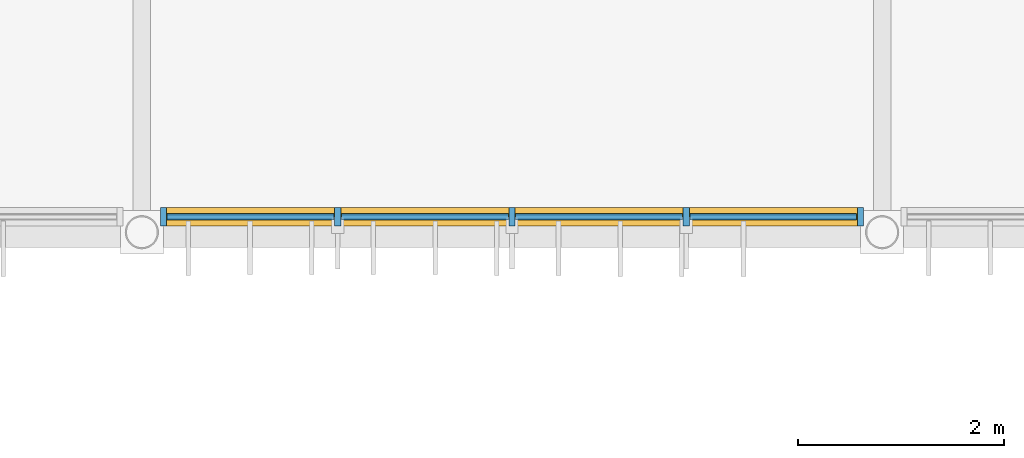
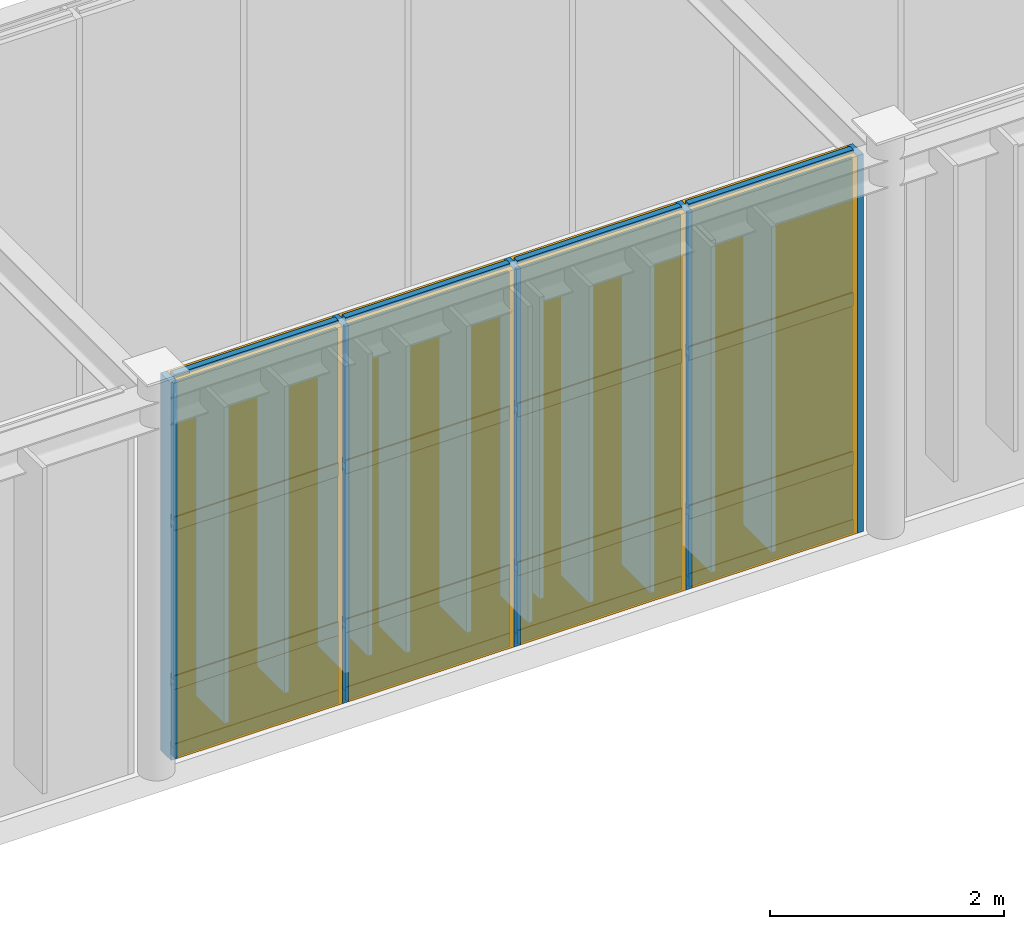
# One storey, part 89 of 122: 21 members, 12 plates, 1 curtain wall.
"""IFC4 building model written with IfcOpenShell, lengths in metres."""

from ifc_helpers import new_model, si_unit, direction, frame, frame_2d, origin, origin_2d, place, context, subcontext, project, spatial, rectangle, extrude, material, layer, layer_set, material_profile, profile_set, type_object, element, aggregate, save


model = new_model("IFC4")

# Units and contexts
model_context = context("Model", 3, precision=1e-05, world=origin(), true_north=direction((0.0, 1.0)))
body_context = subcontext(model_context, "Body", "Model", "MODEL_VIEW")
ifc_project = project(units=[si_unit("LENGTHUNIT", "METRE"), si_unit("AREAUNIT", "SQUARE_METRE"), si_unit("VOLUMEUNIT", "CUBIC_METRE"), si_unit("PLANEANGLEUNIT", "RADIAN"), si_unit("MASSUNIT", "GRAM", prefix="KILO")], contexts=[model_context])

# Member
ifc_material_1 = material(Name="Anodised Bronze Aluminium 6063-T6", Category="aluminium")
ifc_material_profile_1 = material_profile(ifc_material_1, rectangle(XDim=0.06005859375, YDim=0.179931640625, at=origin_2d()), Name="ALU MULLION 60x180")
ifc_profile_set_1 = profile_set([ifc_material_profile_1], Name="Anodised Bronze Aluminium 6063-T6")
member_type_1 = type_object("IfcMemberType", Name="Curtain-Wall Primary Mullion 60x180", PredefinedType="MULLION", material=ifc_profile_set_1)
site_placement = place(None, origin())
building_placement = place(site_placement, origin())
storey_placement = place(building_placement, frame((0.0, 0.0, 4.800048828125)))
member_1_placement = place(storey_placement, frame((110.011962890625, 44.75, 0.0), z_axis=(0.0, 0.0, 1.0), x_axis=(1.0, 0.0, 0.0)))
member_1 = element("IfcMember", 1, at=member_1_placement, type_object=member_type_1, Name="Mullion CWM-01 CW-ELNK-S-L01-B3-M01", PredefinedType="MULLION", context=body_context, shape_type="SweptSolid", body=[
    extrude(rectangle(XDim=0.06005859375, YDim=0.179931640625, at=origin_2d()), origin(), (0.0, 0.0, 1.0), 3.93994140625),
])

member_2_placement = place(storey_placement, frame((111.705810546875, 44.75, 0.0), z_axis=(0.0, 0.0, 1.0), x_axis=(1.0, 0.0, 0.0)))
member_2 = element("IfcMember", 2, at=member_2_placement, type_object=member_type_1, Name="Mullion CWM-01 CW-ELNK-S-L01-B3-M02", PredefinedType="MULLION", context=body_context, shape_type="SweptSolid", body=[
    extrude(rectangle(XDim=0.06005859375, YDim=0.179931640625, at=origin_2d()), origin(), (0.0, 0.0, 1.0), 3.93994140625),
])

member_3_placement = place(storey_placement, frame((113.39990234375, 44.75, 0.0), z_axis=(0.0, 0.0, 1.0), x_axis=(1.0, 0.0, 0.0)))
member_3 = element("IfcMember", 3, at=member_3_placement, type_object=member_type_1, Name="Mullion CWM-01 CW-ELNK-S-L01-B3-M03", PredefinedType="MULLION", context=body_context, shape_type="SweptSolid", body=[
    extrude(rectangle(XDim=0.06005859375, YDim=0.179931640625, at=origin_2d()), origin(), (0.0, 0.0, 1.0), 3.93994140625),
])

member_4_placement = place(storey_placement, frame((115.093994140625, 44.75, 0.0), z_axis=(0.0, 0.0, 1.0), x_axis=(1.0, 0.0, 0.0)))
member_4 = element("IfcMember", 4, at=member_4_placement, type_object=member_type_1, Name="Mullion CWM-01 CW-ELNK-S-L01-B3-M04", PredefinedType="MULLION", context=body_context, shape_type="SweptSolid", body=[
    extrude(rectangle(XDim=0.06005859375, YDim=0.179931640625, at=origin_2d()), origin(), (0.0, 0.0, 1.0), 3.93994140625),
])

member_5_placement = place(storey_placement, frame((116.7880859375, 44.75, 0.0), z_axis=(0.0, 0.0, 1.0), x_axis=(1.0, 0.0, 0.0)))
member_5 = element("IfcMember", 5, at=member_5_placement, type_object=member_type_1, Name="Mullion CWM-01 CW-ELNK-S-L01-B3-M05", PredefinedType="MULLION", context=body_context, shape_type="SweptSolid", body=[
    extrude(rectangle(XDim=0.06005859375, YDim=0.179931640625, at=origin_2d()), origin(), (0.0, 0.0, 1.0), 3.93994140625),
])

ifc_material_profile_2 = material_profile(ifc_material_1, rectangle(XDim=0.06005859375, YDim=0.139892578125, at=origin_2d()), Name="ALU TRANSOM 60x140")
ifc_profile_set_2 = profile_set([ifc_material_profile_2], Name="Anodised Bronze Aluminium 6063-T6")
member_type_2 = type_object("IfcMemberType", Name="Curtain-Wall Transom 60x140", PredefinedType="USERDEFINED", material=ifc_profile_set_2)
member_6_placement = place(storey_placement, frame((110.046875, 44.75, 0.0400390625), z_axis=(1.0, 0.0, 0.0), x_axis=(0.0, 1.0, 0.0)))
member_6 = element("IfcMember", 6, at=member_6_placement, type_object=member_type_2, Name="Transom CWT-01 CW-ELNK-S-L01-B3-T01.1", ObjectType="TRANSOM", PredefinedType="USERDEFINED", context=body_context, shape_type="SweptSolid", body=[
    extrude(rectangle(XDim=0.06005859375, YDim=0.139892578125, at=origin_2d()), origin(), (0.0, 0.0, 1.0), 1.6240234375),
])

member_7_placement = place(storey_placement, frame((110.046875, 44.75, 0.75), z_axis=(1.0, 0.0, 0.0), x_axis=(0.0, 1.0, 0.0)))
member_7 = element("IfcMember", 7, at=member_7_placement, type_object=member_type_2, Name="Transom CWT-01 CW-ELNK-S-L01-B3-T01.2", ObjectType="TRANSOM", PredefinedType="USERDEFINED", context=body_context, shape_type="SweptSolid", body=[
    extrude(rectangle(XDim=0.06005859375, YDim=0.139892578125, at=origin_2d()), origin(), (0.0, 0.0, 1.0), 1.6240234375),
])

member_8_placement = place(storey_placement, frame((110.046875, 44.75, 2.40869140625), z_axis=(1.0, 0.0, 0.0), x_axis=(0.0, 1.0, 0.0)))
member_8 = element("IfcMember", 8, at=member_8_placement, type_object=member_type_2, Name="Transom CWT-01 CW-ELNK-S-L01-B3-T01.3", ObjectType="TRANSOM", PredefinedType="USERDEFINED", context=body_context, shape_type="SweptSolid", body=[
    extrude(rectangle(XDim=0.06005859375, YDim=0.139892578125, at=origin_2d()), origin(), (0.0, 0.0, 1.0), 1.6240234375),
])

member_9_placement = place(storey_placement, frame((110.046875, 44.75, 3.89990234375), z_axis=(1.0, 0.0, 0.0), x_axis=(0.0, 1.0, 0.0)))
member_9 = element("IfcMember", 9, at=member_9_placement, type_object=member_type_2, Name="Transom CWT-01 CW-ELNK-S-L01-B3-T01.4", ObjectType="TRANSOM", PredefinedType="USERDEFINED", context=body_context, shape_type="SweptSolid", body=[
    extrude(rectangle(XDim=0.06005859375, YDim=0.139892578125, at=origin_2d()), origin(), (0.0, 0.0, 1.0), 1.6240234375),
])

member_10_placement = place(storey_placement, frame((111.740966796875, 44.75, 0.0400390625), z_axis=(1.0, 0.0, 0.0), x_axis=(0.0, 1.0, 0.0)))
member_10 = element("IfcMember", 10, at=member_10_placement, type_object=member_type_2, Name="Transom CWT-01 CW-ELNK-S-L01-B3-T02.1", ObjectType="TRANSOM", PredefinedType="USERDEFINED", context=body_context, shape_type="SweptSolid", body=[
    extrude(rectangle(XDim=0.06005859375, YDim=0.139892578125, at=origin_2d()), origin(), (0.0, 0.0, 1.0), 1.6240234375),
])

member_11_placement = place(storey_placement, frame((111.740966796875, 44.75, 0.75), z_axis=(1.0, 0.0, 0.0), x_axis=(0.0, 1.0, 0.0)))
member_11 = element("IfcMember", 11, at=member_11_placement, type_object=member_type_2, Name="Transom CWT-01 CW-ELNK-S-L01-B3-T02.2", ObjectType="TRANSOM", PredefinedType="USERDEFINED", context=body_context, shape_type="SweptSolid", body=[
    extrude(rectangle(XDim=0.06005859375, YDim=0.139892578125, at=origin_2d()), origin(), (0.0, 0.0, 1.0), 1.6240234375),
])

member_12_placement = place(storey_placement, frame((111.740966796875, 44.75, 2.40869140625), z_axis=(1.0, 0.0, 0.0), x_axis=(0.0, 1.0, 0.0)))
member_12 = element("IfcMember", 12, at=member_12_placement, type_object=member_type_2, Name="Transom CWT-01 CW-ELNK-S-L01-B3-T02.3", ObjectType="TRANSOM", PredefinedType="USERDEFINED", context=body_context, shape_type="SweptSolid", body=[
    extrude(rectangle(XDim=0.06005859375, YDim=0.139892578125, at=origin_2d()), origin(), (0.0, 0.0, 1.0), 1.6240234375),
])

member_13_placement = place(storey_placement, frame((111.740966796875, 44.75, 3.89990234375), z_axis=(1.0, 0.0, 0.0), x_axis=(0.0, 1.0, 0.0)))
member_13 = element("IfcMember", 13, at=member_13_placement, type_object=member_type_2, Name="Transom CWT-01 CW-ELNK-S-L01-B3-T02.4", ObjectType="TRANSOM", PredefinedType="USERDEFINED", context=body_context, shape_type="SweptSolid", body=[
    extrude(rectangle(XDim=0.06005859375, YDim=0.139892578125, at=origin_2d()), origin(), (0.0, 0.0, 1.0), 1.6240234375),
])

member_14_placement = place(storey_placement, frame((113.43505859375, 44.75, 0.0400390625), z_axis=(1.0, 0.0, 0.0), x_axis=(0.0, 1.0, 0.0)))
member_14 = element("IfcMember", 14, at=member_14_placement, type_object=member_type_2, Name="Transom CWT-01 CW-ELNK-S-L01-B3-T03.1", ObjectType="TRANSOM", PredefinedType="USERDEFINED", context=body_context, shape_type="SweptSolid", body=[
    extrude(rectangle(XDim=0.06005859375, YDim=0.139892578125, at=origin_2d()), origin(), (0.0, 0.0, 1.0), 1.6240234375),
])

member_15_placement = place(storey_placement, frame((113.43505859375, 44.75, 0.75), z_axis=(1.0, 0.0, 0.0), x_axis=(0.0, 1.0, 0.0)))
member_15 = element("IfcMember", 15, at=member_15_placement, type_object=member_type_2, Name="Transom CWT-01 CW-ELNK-S-L01-B3-T03.2", ObjectType="TRANSOM", PredefinedType="USERDEFINED", context=body_context, shape_type="SweptSolid", body=[
    extrude(rectangle(XDim=0.06005859375, YDim=0.139892578125, at=origin_2d()), origin(), (0.0, 0.0, 1.0), 1.6240234375),
])

member_16_placement = place(storey_placement, frame((113.43505859375, 44.75, 2.40869140625), z_axis=(1.0, 0.0, 0.0), x_axis=(0.0, 1.0, 0.0)))
member_16 = element("IfcMember", 16, at=member_16_placement, type_object=member_type_2, Name="Transom CWT-01 CW-ELNK-S-L01-B3-T03.3", ObjectType="TRANSOM", PredefinedType="USERDEFINED", context=body_context, shape_type="SweptSolid", body=[
    extrude(rectangle(XDim=0.06005859375, YDim=0.139892578125, at=origin_2d()), origin(), (0.0, 0.0, 1.0), 1.6240234375),
])

member_17_placement = place(storey_placement, frame((113.43505859375, 44.75, 3.89990234375), z_axis=(1.0, 0.0, 0.0), x_axis=(0.0, 1.0, 0.0)))
member_17 = element("IfcMember", 17, at=member_17_placement, type_object=member_type_2, Name="Transom CWT-01 CW-ELNK-S-L01-B3-T03.4", ObjectType="TRANSOM", PredefinedType="USERDEFINED", context=body_context, shape_type="SweptSolid", body=[
    extrude(rectangle(XDim=0.06005859375, YDim=0.139892578125, at=origin_2d()), origin(), (0.0, 0.0, 1.0), 1.6240234375),
])

member_18_placement = place(storey_placement, frame((115.12890625, 44.75, 0.0400390625), z_axis=(1.0, 0.0, 0.0), x_axis=(0.0, 1.0, 0.0)))
member_18 = element("IfcMember", 18, at=member_18_placement, type_object=member_type_2, Name="Transom CWT-01 CW-ELNK-S-L01-B3-T04.1", ObjectType="TRANSOM", PredefinedType="USERDEFINED", context=body_context, shape_type="SweptSolid", body=[
    extrude(rectangle(XDim=0.06005859375, YDim=0.139892578125, at=origin_2d()), origin(), (0.0, 0.0, 1.0), 1.6240234375),
])

member_19_placement = place(storey_placement, frame((115.12890625, 44.75, 0.75), z_axis=(1.0, 0.0, 0.0), x_axis=(0.0, 1.0, 0.0)))
member_19 = element("IfcMember", 19, at=member_19_placement, type_object=member_type_2, Name="Transom CWT-01 CW-ELNK-S-L01-B3-T04.2", ObjectType="TRANSOM", PredefinedType="USERDEFINED", context=body_context, shape_type="SweptSolid", body=[
    extrude(rectangle(XDim=0.06005859375, YDim=0.139892578125, at=origin_2d()), origin(), (0.0, 0.0, 1.0), 1.6240234375),
])

member_20_placement = place(storey_placement, frame((115.12890625, 44.75, 2.40869140625), z_axis=(1.0, 0.0, 0.0), x_axis=(0.0, 1.0, 0.0)))
member_20 = element("IfcMember", 20, at=member_20_placement, type_object=member_type_2, Name="Transom CWT-01 CW-ELNK-S-L01-B3-T04.3", ObjectType="TRANSOM", PredefinedType="USERDEFINED", context=body_context, shape_type="SweptSolid", body=[
    extrude(rectangle(XDim=0.06005859375, YDim=0.139892578125, at=origin_2d()), origin(), (0.0, 0.0, 1.0), 1.6240234375),
])

member_21_placement = place(storey_placement, frame((115.12890625, 44.75, 3.89990234375), z_axis=(1.0, 0.0, 0.0), x_axis=(0.0, 1.0, 0.0)))
member_21 = element("IfcMember", 21, at=member_21_placement, type_object=member_type_2, Name="Transom CWT-01 CW-ELNK-S-L01-B3-T04.4", ObjectType="TRANSOM", PredefinedType="USERDEFINED", context=body_context, shape_type="SweptSolid", body=[
    extrude(rectangle(XDim=0.06005859375, YDim=0.139892578125, at=origin_2d()), origin(), (0.0, 0.0, 1.0), 1.6240234375),
])

# Plate
ifc_material_2 = material(Name="Insulated Bronze Aluminium Spandrel Panel", Category="aluminium")
ifc_layer_1 = layer(ifc_material_2, 0.050048828125, Name="Insulated Bronze Aluminium Spandrel Panel")
ifc_layer_set_1 = layer_set([ifc_layer_1], Name="Insulated Bronze Aluminium Spandrel Panel")
plate_type_1 = type_object("IfcPlateType", Name="Insulated Anodised Aluminium Spandrel Cassette 50", PredefinedType="CURTAIN_PANEL", material=ifc_layer_set_1)
plate_1_placement = place(storey_placement, frame((110.85888671875, 44.75, 0.070068359375), z_axis=(0.0, 0.0, 1.0), x_axis=(1.0, 0.0, 0.0)))
plate_1 = element("IfcPlate", 22, at=plate_1_placement, type_object=plate_type_1, Name="Curtain Panel CWP-03 CW-ELNK-S-L01-B3-P01.1", PredefinedType="CURTAIN_PANEL", context=body_context, shape_type="SweptSolid", body=[
    extrude(rectangle(XDim=1.6240234375, YDim=0.050048828125, at=origin_2d()), origin(), (0.0, 0.0, 1.0), 0.64990234375),
])

plate_2_placement = place(storey_placement, frame((112.552978515625, 44.75, 0.070068359375), z_axis=(0.0, 0.0, 1.0), x_axis=(1.0, 0.0, 0.0)))
plate_2 = element("IfcPlate", 23, at=plate_2_placement, type_object=plate_type_1, Name="Curtain Panel CWP-03 CW-ELNK-S-L01-B3-P02.1", PredefinedType="CURTAIN_PANEL", context=body_context, shape_type="SweptSolid", body=[
    extrude(rectangle(XDim=1.6240234375, YDim=0.050048828125, at=origin_2d()), origin(), (0.0, 0.0, 1.0), 0.64990234375),
])

plate_3_placement = place(storey_placement, frame((114.2470703125, 44.75, 0.070068359375), z_axis=(0.0, 0.0, 1.0), x_axis=(1.0, 0.0, 0.0)))
plate_3 = element("IfcPlate", 24, at=plate_3_placement, type_object=plate_type_1, Name="Curtain Panel CWP-03 CW-ELNK-S-L01-B3-P03.1", PredefinedType="CURTAIN_PANEL", context=body_context, shape_type="SweptSolid", body=[
    extrude(rectangle(XDim=1.6240234375, YDim=0.050048828125, at=origin_2d()), origin(), (0.0, 0.0, 1.0), 0.64990234375),
])

plate_4_placement = place(storey_placement, frame((115.94091796875, 44.75, 0.070068359375), z_axis=(0.0, 0.0, 1.0), x_axis=(1.0, 0.0, 0.0)))
plate_4 = element("IfcPlate", 25, at=plate_4_placement, type_object=plate_type_1, Name="Curtain Panel CWP-03 CW-ELNK-S-L01-B3-P04.1", PredefinedType="CURTAIN_PANEL", context=body_context, shape_type="SweptSolid", body=[
    extrude(rectangle(XDim=1.6240234375, YDim=0.050048828125, at=origin_2d()), origin(), (0.0, 0.0, 1.0), 0.64990234375),
])

ifc_material_3 = material(Name="Solar-Control Tempered Double Glazing", Category="glass")
ifc_layer_2 = layer(ifc_material_3, 0.0380859375, Name="Solar-Control Tempered Double Glazing")
ifc_layer_set_2 = layer_set([ifc_layer_2], Name="Solar-Control Tempered Double Glazing")
plate_type_2 = type_object("IfcPlateType", Name="Solar-Control Vision Glazing Unit 38", PredefinedType="CURTAIN_PANEL", material=ifc_layer_set_2)
plate_5_placement = place(storey_placement, frame((110.85888671875, 44.75, 0.77978515625), z_axis=(0.0, 0.0, 1.0), x_axis=(1.0, 0.0, 0.0)))
plate_5 = element("IfcPlate", 26, at=plate_5_placement, type_object=plate_type_2, Name="Curtain Panel CWP-02 CW-ELNK-S-L01-B3-P01.2", PredefinedType="CURTAIN_PANEL", context=body_context, shape_type="SweptSolid", body=[
    extrude(rectangle(XDim=1.6240234375, YDim=0.0380859375, at=origin_2d()), origin(), (0.0, 0.0, 1.0), 1.598876953125),
])

plate_6_placement = place(storey_placement, frame((110.85888671875, 44.75, 2.438720703125), z_axis=(0.0, 0.0, 1.0), x_axis=(1.0, 0.0, 0.0)))
plate_6 = element("IfcPlate", 27, at=plate_6_placement, type_object=plate_type_2, Name="Curtain Panel CWP-02 CW-ELNK-S-L01-B3-P01.3", PredefinedType="CURTAIN_PANEL", context=body_context, shape_type="SweptSolid", body=[
    extrude(rectangle(XDim=1.6240234375, YDim=0.0380859375, at=origin_2d()), origin(), (0.0, 0.0, 1.0), 1.43115234375),
])

plate_7_placement = place(storey_placement, frame((112.552978515625, 44.75, 0.77978515625), z_axis=(0.0, 0.0, 1.0), x_axis=(1.0, 0.0, 0.0)))
plate_7 = element("IfcPlate", 28, at=plate_7_placement, type_object=plate_type_2, Name="Curtain Panel CWP-02 CW-ELNK-S-L01-B3-P02.2", PredefinedType="CURTAIN_PANEL", context=body_context, shape_type="SweptSolid", body=[
    extrude(rectangle(XDim=1.6240234375, YDim=0.0380859375, at=origin_2d()), origin(), (0.0, 0.0, 1.0), 1.598876953125),
])

plate_8_placement = place(storey_placement, frame((112.552978515625, 44.75, 2.438720703125), z_axis=(0.0, 0.0, 1.0), x_axis=(1.0, 0.0, 0.0)))
plate_8 = element("IfcPlate", 29, at=plate_8_placement, type_object=plate_type_2, Name="Curtain Panel CWP-02 CW-ELNK-S-L01-B3-P02.3", PredefinedType="CURTAIN_PANEL", context=body_context, shape_type="SweptSolid", body=[
    extrude(rectangle(XDim=1.6240234375, YDim=0.0380859375, at=origin_2d()), origin(), (0.0, 0.0, 1.0), 1.43115234375),
])

plate_9_placement = place(storey_placement, frame((114.2470703125, 44.75, 0.77978515625), z_axis=(0.0, 0.0, 1.0), x_axis=(1.0, 0.0, 0.0)))
plate_9 = element("IfcPlate", 30, at=plate_9_placement, type_object=plate_type_2, Name="Curtain Panel CWP-02 CW-ELNK-S-L01-B3-P03.2", PredefinedType="CURTAIN_PANEL", context=body_context, shape_type="SweptSolid", body=[
    extrude(rectangle(XDim=1.6240234375, YDim=0.0380859375, at=origin_2d()), origin(), (0.0, 0.0, 1.0), 1.598876953125),
])

plate_10_placement = place(storey_placement, frame((114.2470703125, 44.75, 2.438720703125), z_axis=(0.0, 0.0, 1.0), x_axis=(1.0, 0.0, 0.0)))
plate_10 = element("IfcPlate", 31, at=plate_10_placement, type_object=plate_type_2, Name="Curtain Panel CWP-02 CW-ELNK-S-L01-B3-P03.3", PredefinedType="CURTAIN_PANEL", context=body_context, shape_type="SweptSolid", body=[
    extrude(rectangle(XDim=1.6240234375, YDim=0.0380859375, at=origin_2d()), origin(), (0.0, 0.0, 1.0), 1.43115234375),
])

plate_11_placement = place(storey_placement, frame((115.94091796875, 44.75, 0.77978515625), z_axis=(0.0, 0.0, 1.0), x_axis=(1.0, 0.0, 0.0)))
plate_11 = element("IfcPlate", 32, at=plate_11_placement, type_object=plate_type_2, Name="Curtain Panel CWP-02 CW-ELNK-S-L01-B3-P04.2", PredefinedType="CURTAIN_PANEL", context=body_context, shape_type="SweptSolid", body=[
    extrude(rectangle(XDim=1.6240234375, YDim=0.0380859375, at=origin_2d()), origin(), (0.0, 0.0, 1.0), 1.598876953125),
])

plate_12_placement = place(storey_placement, frame((115.94091796875, 44.75, 2.438720703125), z_axis=(0.0, 0.0, 1.0), x_axis=(1.0, 0.0, 0.0)))
plate_12 = element("IfcPlate", 33, at=plate_12_placement, type_object=plate_type_2, Name="Curtain Panel CWP-02 CW-ELNK-S-L01-B3-P04.3", PredefinedType="CURTAIN_PANEL", context=body_context, shape_type="SweptSolid", body=[
    extrude(rectangle(XDim=1.6240234375, YDim=0.0380859375, at=origin_2d()), origin(), (0.0, 0.0, 1.0), 1.43115234375),
])

# Site, building, storey
site = spatial("IfcSite", under=ifc_project, at=site_placement, CompositionType="ELEMENT")
building = spatial("IfcBuilding", under=site, at=building_placement, Name="Tazoul Stagehouse", CompositionType="ELEMENT")
storey = spatial("IfcBuildingStorey", under=building, at=storey_placement, Name="L01", CompositionType="ELEMENT", Elevation=4.800048828125)

# Curtain wall
curtain_wall_type = type_object("IfcCurtainWallType", Name="Foyer Clear Solar-Control Curtain Wall", PredefinedType="NOTDEFINED", material=ifc_material_1)
curtain_wall_placement = place(storey_placement, frame((110.011962890625, 44.75, 0.0), z_axis=(0.0, 0.0, 1.0), x_axis=(1.0, 0.0, 0.0)))
curtain_wall = element("IfcCurtainWall", 34, at=curtain_wall_placement, inside=storey, type_object=curtain_wall_type, Name="L01 Curtain Wall CW-02 (CW-ELNK-S-L01-B3)", PredefinedType="NOTDEFINED", context=body_context, shape_type="SweptSolid", body=[
    extrude(rectangle(XDim=6.776123046875, YDim=0.179931640625, at=frame_2d((3.38818359375, 0.0))), origin(), (0.0, 0.0, 1.0), 3.93994140625),
])

aggregate(curtain_wall, [member_1, member_2, member_3, member_4, member_5, member_6, member_7, member_8, member_9, plate_1, plate_5, plate_6, member_10, member_11, member_12, member_13, plate_2, plate_7, plate_8, member_14, member_15, member_16, member_17, plate_3, plate_9, plate_10, member_18, member_19, member_20, member_21, plate_4, plate_11, plate_12])

save(model, "model.ifc")
